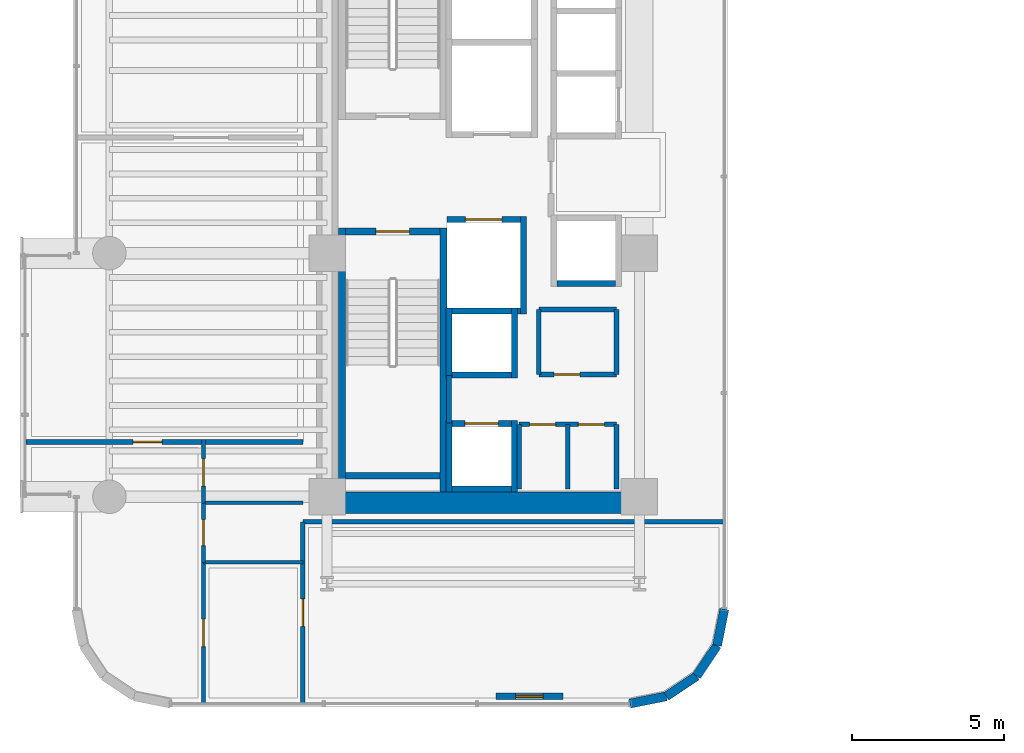
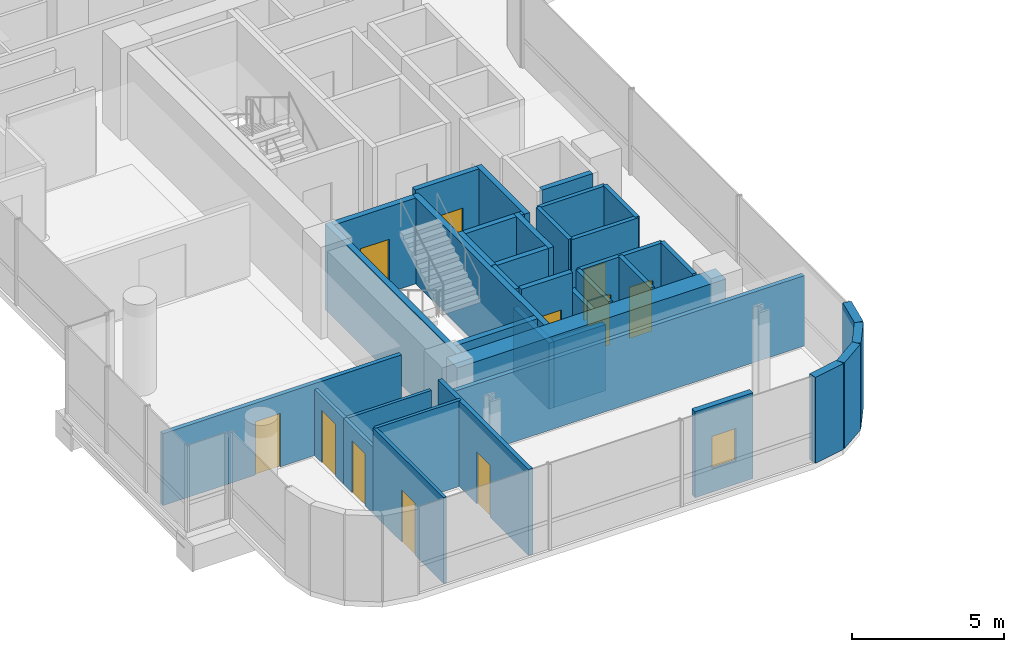
# One storey, part 28 of 38: 38 walls, 11 doors, 1 window, 12 openings.
"""IFC4 building model written with IfcOpenShell, lengths in metres."""

from ifc_helpers import new_model, si_unit, direction, frame, frame_2d, origin, place, context, subcontext, project, spatial, rectangle, extrude, material, layer, layer_set, type_object, element, fill, save


model = new_model("IFC4")

# Units and contexts
model_context = context("Model", 3, precision=1e-05, world=origin(), true_north=direction((0.0, 1.0)))
body_context = subcontext(model_context, "Body", "Model", "MODEL_VIEW")
ifc_project = project(units=[si_unit("LENGTHUNIT", "METRE"), si_unit("AREAUNIT", "SQUARE_METRE"), si_unit("VOLUMEUNIT", "CUBIC_METRE"), si_unit("PLANEANGLEUNIT", "RADIAN"), si_unit("MASSUNIT", "GRAM", prefix="KILO")], contexts=[model_context])

# Site, building, storey
site_placement = place(None, origin())
site = spatial("IfcSite", under=ifc_project, at=site_placement, CompositionType="ELEMENT")
building_placement = place(site_placement, origin())
building = spatial("IfcBuilding", under=site, at=building_placement, Name="Valdorenza Pilgrim Sanctuary Tower", CompositionType="ELEMENT")
storey_placement = place(building_placement, frame((0.0, 0.0, 131.60009765625)))
storey = spatial("IfcBuildingStorey", under=building, at=storey_placement, Name="L33", CompositionType="ELEMENT", Elevation=131.60009765625)

# Wall
ifc_material_1 = material(Name="Acoustic twin-stud gypsum partition", Category="gypsum")
ifc_layer_1 = layer(ifc_material_1, 0.159912109375, Name="Acoustic twin-stud gypsum partition")
ifc_layer_set_1 = layer_set([ifc_layer_1], Name="Acoustic twin-stud gypsum partition")
wall_type_1 = type_object("IfcWallType", Name="WAL-COR-160", PredefinedType="PARTITIONING", material=ifc_layer_set_1)
wall_1_placement = place(storey_placement, frame((-18.64990234375, -8.179931640625, 0.0), z_axis=(0.0, 0.0, 1.0), x_axis=(0.0, 1.0, 0.0)))
element("IfcWall", 1, at=wall_1_placement, inside=storey, type_object=wall_type_1, Name="L33 Core A South Lift Hall West Wall", PredefinedType="PARTITIONING", context=body_context, shape_type="SweptSolid", body=[
    extrude(rectangle(XDim=1.559814453125, YDim=0.159912109375, at=frame_2d((0.77978515625, 0.0))), origin(), (0.0, 0.0, 1.0), 3.4599609375),
])

# Wall, openings, doors
wall_2_placement = place(storey_placement, frame((-16.35009765625, -8.219970703125, 0.0), z_axis=(0.0, 0.0, 1.0), x_axis=(1.0, 0.0, 0.0)))
wall_2 = element("IfcWall", 2, at=wall_2_placement, inside=storey, type_object=wall_type_1, Name="L33 Freed Shaft 1 North Wall", PredefinedType="PARTITIONING", context=body_context, shape_type="SweptSolid", body=[
    extrude(rectangle(XDim=3.2001953125, YDim=0.159912109375, at=frame_2d((1.60009765625, 0.0))), origin(), (0.0, 0.0, 1.0), 3.4599609375),
])
opening_1_placement = place(wall_2_placement, frame((0.35009765625, 0.0, 0.0)))
opening_1 = element("IfcOpeningElement", 3, at=opening_1_placement, cuts=wall_2, Name="Opening DR-RS1", PredefinedType="OPENING", context=body_context, shape_type="SweptSolid", body=[
    extrude(rectangle(XDim=0.85009765625, YDim=2.050048828125, at=frame_2d((0.425048828125, 1.02490234375))), frame((0.0, 0.0947265625, 0.0), z_axis=(0.0, -1.0, 0.0), x_axis=(1.0, 0.0, 0.0)), (0.0, 0.0, 1.0), 0.189697265625),
])
opening_2_placement = place(wall_2_placement, frame((1.949951171875, 0.0, 0.0)))
opening_2 = element("IfcOpeningElement", 4, at=opening_2_placement, cuts=wall_2, Name="Opening DR-RS1", PredefinedType="OPENING", context=body_context, shape_type="SweptSolid", body=[
    extrude(rectangle(XDim=0.85009765625, YDim=2.050048828125, at=frame_2d((0.425048828125, 1.02490234375))), frame((0.0, 0.0947265625, 0.0), z_axis=(0.0, -1.0, 0.0), x_axis=(1.0, 0.0, 0.0)), (0.0, 0.0, 1.0), 0.189697265625),
])
ifc_material_2 = material(Name="Painted galvanized steel", Category="steel")
door_type_1 = type_object("IfcDoorType", Name="DR-RSR-850", OperationType="NOTDEFINED", PredefinedType="DOOR", material=ifc_material_2)
door_1_placement = place(opening_1_placement, origin())
door_1 = element("IfcDoor", 5, at=door_1_placement, inside=storey, type_object=door_type_1, Name="L33 Linen Store Door", OperationType="SINGLE_SWING_RIGHT", OverallHeight=2.050048828125, OverallWidth=0.85009765625, PredefinedType="DOOR", context=body_context, shape_type="SweptSolid", body=[
    extrude(rectangle(XDim=0.85009765625, YDim=2.050048828125, at=frame_2d((0.425048828125, 1.02490234375))), frame((0.0, 0.02490234375, 0.0), z_axis=(0.0, -1.0, 0.0), x_axis=(1.0, 0.0, 0.0)), (0.0, 0.0, 1.0), 0.050048828125),
])
fill(opening_1, door_1)
door_2_placement = place(opening_2_placement, origin())
door_2 = element("IfcDoor", 6, at=door_2_placement, inside=storey, type_object=door_type_1, Name="L33 Cot Store Door", OperationType="SINGLE_SWING_LEFT", OverallHeight=2.050048828125, OverallWidth=0.85009765625, PredefinedType="DOOR", context=body_context, shape_type="SweptSolid", body=[
    extrude(rectangle(XDim=0.85009765625, YDim=2.050048828125, at=frame_2d((0.425048828125, 1.02490234375))), frame((0.0, 0.02490234375, 0.0), z_axis=(0.0, -1.0, 0.0), x_axis=(1.0, 0.0, 0.0)), (0.0, 0.0, 1.0), 0.050048828125),
])
fill(opening_2, door_2)

# Walls
for number, where, z_axis, x_axis, name in (
    (7, (-13.14990234375, -10.35009765625, 0.0), (0.0, 0.0, 1.0), (0.0, 1.0, 0.0), "L33 Freed Shaft 1 East Wall"),
    (8, (-14.75, -10.35009765625, 0.0), (0.0, 0.0, 1.0), (0.0, 1.0, 0.0), "L33 Freed Shaft 1 Split Wall"),
):
    element("IfcWall", number, at=place(storey_placement, frame(where, z_axis=z_axis, x_axis=x_axis)), inside=storey, type_object=wall_type_1, Name=name, PredefinedType="PARTITIONING", context=body_context, shape_type="SweptSolid", body=[
        extrude(rectangle(XDim=2.130126953125, YDim=0.159912109375, at=frame_2d((1.06494140625, 0.0))), origin(), (0.0, 0.0, 1.0), 3.4599609375),
    ])

# Wall, opening, door
wall_3_placement = place(storey_placement, frame((-15.699951171875, -6.580078125, 0.0), z_axis=(0.0, 0.0, 1.0), x_axis=(1.0, 0.0, 0.0)))
wall_3 = element("IfcWall", 9, at=wall_3_placement, inside=storey, type_object=wall_type_1, Name="L33 Freed Shaft 2 South Wall", PredefinedType="PARTITIONING", context=body_context, shape_type="SweptSolid", body=[
    extrude(rectangle(XDim=2.550048828125, YDim=0.159912109375, at=frame_2d((1.27490234375, 0.0))), origin(), (0.0, 0.0, 1.0), 3.4599609375),
])
opening_3_placement = place(wall_3_placement, frame((0.5, 0.0, 0.0)))
opening_3 = element("IfcOpeningElement", 10, at=opening_3_placement, cuts=wall_3, Name="Opening DR-RS1", PredefinedType="OPENING", context=body_context, shape_type="SweptSolid", body=[
    extrude(rectangle(XDim=0.85009765625, YDim=2.050048828125, at=frame_2d((0.425048828125, 1.02490234375))), frame((0.0, 0.0947265625, 0.0), z_axis=(0.0, -1.0, 0.0), x_axis=(1.0, 0.0, 0.0)), (0.0, 0.0, 1.0), 0.189697265625),
])
door_3_placement = place(opening_3_placement, origin())
door_3 = element("IfcDoor", 11, at=door_3_placement, inside=storey, type_object=door_type_1, Name="L33 Guest Tea Pantry Door", OperationType="SINGLE_SWING_RIGHT", OverallHeight=2.050048828125, OverallWidth=0.85009765625, PredefinedType="DOOR", context=body_context, shape_type="SweptSolid", body=[
    extrude(rectangle(XDim=0.85009765625, YDim=2.050048828125, at=frame_2d((0.425048828125, 1.02490234375))), frame((0.0, 0.02490234375, 0.0), z_axis=(0.0, -1.0, 0.0), x_axis=(1.0, 0.0, 0.0)), (0.0, 0.0, 1.0), 0.050048828125),
])
fill(opening_3, door_3)

# Walls
wall_4_placement = place(storey_placement, frame((-13.14990234375, -6.580078125, 0.0), z_axis=(0.0, 0.0, 1.0), x_axis=(0.0, 1.0, 0.0)))
element("IfcWall", 12, at=wall_4_placement, inside=storey, type_object=wall_type_1, Name="L33 Freed Shaft 2 East Wall", PredefinedType="PARTITIONING", context=body_context, shape_type="SweptSolid", body=[
    extrude(rectangle(XDim=2.130126953125, YDim=0.159912109375, at=frame_2d((1.06494140625, 0.0))), origin(), (0.0, 0.0, 1.0), 3.4599609375),
])
wall_5_placement = place(storey_placement, frame((-23.449951171875, -11.419921875, 0.0), z_axis=(0.0, 0.0, 1.0), x_axis=(1.0, 0.0, 0.0)))
element("IfcWall", 13, at=wall_5_placement, inside=storey, type_object=wall_type_1, Name="L33 South-East Pocket North Wall", PredefinedType="PARTITIONING", context=body_context, shape_type="SweptSolid", body=[
    extrude(rectangle(XDim=13.83984375, YDim=0.159912109375, at=frame_2d((6.919921875, 0.0))), origin(), (0.0, 0.0, 1.0), 2.833984375),
])

# Wall, opening, door
wall_6_placement = place(storey_placement, frame((-23.449951171875, -17.389892578125, 0.0), z_axis=(0.0, 0.0, 1.0), x_axis=(0.0, 1.0, 0.0)))
wall_6 = element("IfcWall", 14, at=wall_6_placement, inside=storey, type_object=wall_type_1, Name="L33 South-East Pocket West Wall", PredefinedType="PARTITIONING", context=body_context, shape_type="SweptSolid", body=[
    extrude(rectangle(XDim=5.969970703125, YDim=0.159912109375, at=frame_2d((2.98486328125, 0.0))), origin(), (0.0, 0.0, 1.0), 3.4599609375),
])
opening_4_placement = place(wall_6_placement, frame((2.534912109375, 0.0, 0.0)))
opening_4 = element("IfcOpeningElement", 15, at=opening_4_placement, cuts=wall_6, Name="Opening DR-RM1", PredefinedType="OPENING", context=body_context, shape_type="SweptSolid", body=[
    extrude(rectangle(XDim=0.89990234375, YDim=2.10009765625, at=frame_2d((0.449951171875, 1.050048828125))), frame((0.0, 0.0947265625, 0.0), z_axis=(0.0, -1.0, 0.0), x_axis=(1.0, 0.0, 0.0)), (0.0, 0.0, 1.0), 0.189697265625),
])
ifc_material_3 = material(Name="Solid-core European oak timber", Category="wood")
door_type_2 = type_object("IfcDoorType", Name="DR-ROOM-900", OperationType="NOTDEFINED", PredefinedType="DOOR", material=ifc_material_3)
door_4_placement = place(opening_4_placement, frame((0.89990234375, 0.0, 0.0), z_axis=(0.0, 0.0, 1.0), x_axis=(-1.0, 0.0, 0.0)))
door_4 = element("IfcDoor", 16, at=door_4_placement, inside=storey, type_object=door_type_2, Name="L33 South Panoramic Viewing Salon L33 Door", OperationType="SINGLE_SWING_LEFT", OverallHeight=2.10009765625, OverallWidth=0.89990234375, PredefinedType="DOOR", context=body_context, shape_type="SweptSolid", body=[
    extrude(rectangle(XDim=0.89990234375, YDim=2.10009765625, at=frame_2d((0.449951171875, 1.050048828125))), frame((0.0, 0.02490234375, 0.0), z_axis=(0.0, -1.0, 0.0), x_axis=(1.0, 0.0, 0.0)), (0.0, 0.0, 1.0), 0.050048828125),
])
fill(opening_4, door_4)

wall_7_placement = place(storey_placement, frame((-32.5400390625, -8.800048828125, 0.0), z_axis=(0.0, 0.0, 1.0), x_axis=(1.0, 0.0, 0.0)))
wall_7 = element("IfcWall", 17, at=wall_7_placement, inside=storey, type_object=wall_type_1, Name="L33 Cloister South Room Wall", PredefinedType="PARTITIONING", context=body_context, shape_type="SweptSolid", body=[
    extrude(rectangle(XDim=9.090087890625, YDim=0.159912109375, at=frame_2d((4.544921875, 0.0))), origin(), (0.0, 0.0, 1.0), 2.89599609375),
])
opening_5_placement = place(wall_7_placement, frame((3.52001953125, 0.0, 0.0)))
opening_5 = element("IfcOpeningElement", 18, at=opening_5_placement, cuts=wall_7, Name="Opening DR-UN1", PredefinedType="OPENING", context=body_context, shape_type="SweptSolid", body=[
    extrude(rectangle(XDim=0.949951171875, YDim=2.14990234375, at=frame_2d((0.47509765625, 1.074951171875))), frame((0.0, 0.0947265625, 0.0), z_axis=(0.0, -1.0, 0.0), x_axis=(1.0, 0.0, 0.0)), (0.0, 0.0, 1.0), 0.189697265625),
])
door_type_3 = type_object("IfcDoorType", Name="DR-UNIT-950", OperationType="NOTDEFINED", PredefinedType="DOOR", material=ifc_material_3)
door_5_placement = place(opening_5_placement, frame((0.949951171875, 0.0, 0.0), z_axis=(0.0, 0.0, 1.0), x_axis=(-1.0, 0.0, 0.0)))
door_5 = element("IfcDoor", 19, at=door_5_placement, inside=storey, type_object=door_type_3, Name="L33 Sanctuary Apartment L33-CS1 Entrance Door", OperationType="SINGLE_SWING_LEFT", OverallHeight=2.14990234375, OverallWidth=0.949951171875, PredefinedType="DOOR", context=body_context, shape_type="SweptSolid", body=[
    extrude(rectangle(XDim=0.949951171875, YDim=2.14990234375, at=frame_2d((0.47509765625, 1.074951171875))), frame((0.0, 0.02490234375, 0.0), z_axis=(0.0, -1.0, 0.0), x_axis=(1.0, 0.0, 0.0)), (0.0, 0.0, 1.0), 0.050048828125),
])
fill(opening_5, door_5)

# Walls
ifc_material_4 = material(Name="Concrete C60/75", Category="concrete")
ifc_layer_2 = layer(ifc_material_4, 0.699951171875, Name="Concrete C60/75")
ifc_layer_set_2 = layer_set([ifc_layer_2], Name="Concrete C60/75")
wall_type_2 = type_object("IfcWallType", Name="WAL-COR-700", PredefinedType="SHEAR", material=ifc_layer_set_2)
wall_8_placement = place(storey_placement, frame((-22.64990234375, -10.800048828125, 0.0), z_axis=(0.0, 0.0, 1.0), x_axis=(1.0, 0.0, 0.0)))
element("IfcWall", 20, at=wall_8_placement, inside=storey, type_object=wall_type_2, Name="L33 Split Core A Shear Wall S", PredefinedType="SHEAR", context=body_context, shape_type="SweptSolid", body=[
    extrude(rectangle(XDim=10.25, YDim=0.699951171875, at=frame_2d((5.125, 0.0))), origin(), (0.0, 0.0, 1.0), 3.4599609375),
])
ifc_material_5 = material(Name="Honed travertine limestone", Category="masonry")
ifc_layer_3 = layer(ifc_material_5, 0.300048828125, Name="Honed travertine limestone")
ifc_layer_set_3 = layer_set([ifc_layer_3], Name="Honed travertine limestone")
wall_type_3 = type_object("IfcWallType", Name="WAL-EXT-300", PredefinedType="SOLIDWALL", material=ifc_layer_set_3)
wall_9_placement = place(storey_placement, frame((-9.610107421875, -14.289306640625, 0.0), z_axis=(0.0, 0.0, 1.0), x_axis=(-0.194996050505, -0.980804027463, 0.0)))
element("IfcWall", 21, at=wall_9_placement, inside=storey, type_object=wall_type_3, Name="L33 Rounded Wind-Corner Stone Pier 42", PredefinedType="SOLIDWALL", context=body_context, shape_type="SweptSolid", body=[
    extrude(rectangle(XDim=1.2158203125, YDim=0.300048828125, at=frame_2d((0.60791015625, 0.0))), origin(), (0.0, 0.0, 1.0), 3.4599609375),
])
for number, where, z_axis, x_axis, name in (
    (22, (-9.84716796875, -15.481689453125, 0.0), (0.0, 0.0, 1.0), (-0.555635100982, -0.831426265255, 0.0), "L33 Rounded Wind-Corner Stone Pier 43"),
    (23, (-10.5166015625, -16.4833984375, 0.0), (0.0, 0.0, 1.0), (-0.831426265255, -0.555635100982, 0.0), "L33 Rounded Wind-Corner Stone Pier 44"),
):
    element("IfcWall", number, at=place(storey_placement, frame(where, z_axis=z_axis, x_axis=x_axis)), inside=storey, type_object=wall_type_3, Name=name, PredefinedType="SOLIDWALL", context=body_context, shape_type="SweptSolid", body=[
        extrude(rectangle(XDim=1.204833984375, YDim=0.300048828125, at=frame_2d((0.6025390625, 0.0))), origin(), (0.0, 0.0, 1.0), 3.4599609375),
    ])
wall_10_placement = place(storey_placement, frame((-11.518310546875, -17.15283203125, 0.0), z_axis=(0.0, 0.0, 1.0), x_axis=(-0.980804027463, -0.194996050505, 0.0)))
element("IfcWall", 24, at=wall_10_placement, inside=storey, type_object=wall_type_3, Name="L33 Rounded Wind-Corner Stone Pier 45", PredefinedType="SOLIDWALL", context=body_context, shape_type="SweptSolid", body=[
    extrude(rectangle(XDim=1.2158203125, YDim=0.300048828125, at=frame_2d((0.60791015625, 0.0))), origin(), (0.0, 0.0, 1.0), 3.4599609375),
])

# Wall, opening, window
wall_11_placement = place(storey_placement, frame((-14.910888671875, -17.14990234375, 0.0), z_axis=(0.0, 0.0, 1.0), x_axis=(-1.0, 0.0, 0.0)))
wall_11 = element("IfcWall", 25, at=wall_11_placement, inside=storey, type_object=wall_type_3, Name="L33 Operable Ventilation Sash Jamb Pier", PredefinedType="SOLIDWALL", context=body_context, shape_type="SweptSolid", body=[
    extrude(rectangle(XDim=2.199951171875, YDim=0.219970703125, at=frame_2d((1.10009765625, 0.0))), origin(), (0.0, 0.0, 1.0), 3.4599609375),
])
opening_6_placement = place(wall_11_placement, frame((0.64990234375, 0.0, 0.949951171875)))
opening_6 = element("IfcOpeningElement", 26, at=opening_6_placement, cuts=wall_11, Name="Opening WN-OP1", PredefinedType="OPENING", context=body_context, shape_type="SweptSolid", body=[
    extrude(rectangle(XDim=0.89990234375, YDim=1.300048828125, at=frame_2d((0.449951171875, 0.64990234375))), frame((0.0, 0.125, 0.0), z_axis=(0.0, -1.0, 0.0), x_axis=(1.0, 0.0, 0.0)), (0.0, 0.0, 1.0), 0.249755859375),
])
ifc_material_6 = material(Name="Ceramic-fritted low-E IGU glazing", Category="glass")
window_type = type_object("IfcWindowType", Name="WIN-OPN-900", PartitioningType="SINGLE_PANEL", PredefinedType="WINDOW", material=ifc_material_6)
window_placement = place(opening_6_placement, origin())
window = element("IfcWindow", 27, at=window_placement, inside=storey, type_object=window_type, Name="L33 Parallel-Pop-Out Operable Facade Panel", OverallHeight=1.300048828125, OverallWidth=0.89990234375, PartitioningType="SINGLE_PANEL", PredefinedType="WINDOW", context=body_context, shape_type="SweptSolid", body=[
    extrude(rectangle(XDim=0.89990234375, YDim=1.300048828125, at=frame_2d((0.449951171875, 0.64990234375))), frame((0.0, 0.030029296875, 0.0), z_axis=(0.0, -1.0, 0.0), x_axis=(1.0, 0.0, 0.0)), (0.0, 0.0, 1.0), 0.06005859375),
])
fill(opening_6, window)

# Walls
ifc_material_7 = material(Name="Moisture-resistant gypsum partition", Category="gypsum")
ifc_layer_4 = layer(ifc_material_7, 0.1201171875, Name="Moisture-resistant gypsum partition")
ifc_layer_set_4 = layer_set([ifc_layer_4], Name="Moisture-resistant gypsum partition")
wall_type_4 = type_object("IfcWallType", Name="WAL-INT-120", PredefinedType="PARTITIONING", material=ifc_layer_set_4)
wall_12_placement = place(storey_placement, frame((-26.70849609375, -10.800048828125, 0.0), z_axis=(0.0, 0.0, 1.0), x_axis=(1.0, 0.0, 0.0)))
element("IfcWall", 28, at=wall_12_placement, inside=storey, type_object=wall_type_4, Name="L33 Sanctuary Apartment L33-CS1 Bath-Kitchen Wall", PredefinedType="PARTITIONING", context=body_context, shape_type="SweptSolid", body=[
    extrude(rectangle(XDim=3.258544921875, YDim=0.1201171875, at=frame_2d((1.62939453125, 0.0))), origin(), (0.0, 0.0, 1.0), 2.666015625),
])
wall_13_placement = place(storey_placement, frame((-26.70849609375, -12.75, 0.0), z_axis=(0.0, 0.0, 1.0), x_axis=(1.0, 0.0, 0.0)))
element("IfcWall", 29, at=wall_13_placement, inside=storey, type_object=wall_type_4, Name="L33 Sanctuary Apartment L33-CS1 Kitchen-Bedroom Wall", PredefinedType="PARTITIONING", context=body_context, shape_type="SweptSolid", body=[
    extrude(rectangle(XDim=3.258544921875, YDim=0.1201171875, at=frame_2d((1.62939453125, 0.0))), origin(), (0.0, 0.0, 1.0), 3.4599609375),
])

# Wall, opening, door
wall_14_placement = place(storey_placement, frame((-26.70849609375, -12.75, 0.0), z_axis=(0.0, 0.0, 1.0), x_axis=(0.0, 1.0, 0.0)))
wall_14 = element("IfcWall", 30, at=wall_14_placement, inside=storey, type_object=wall_type_4, Name="L33 Sanctuary Apartment L33-CS1 Bathroom Door Wall", PredefinedType="PARTITIONING", context=body_context, shape_type="SweptSolid", body=[
    extrude(rectangle(XDim=1.949951171875, YDim=0.1201171875, at=frame_2d((0.97509765625, 0.0))), origin(), (0.0, 0.0, 1.0), 2.666015625),
])
opening_7_placement = place(wall_14_placement, frame((0.550048828125, 0.0, 0.0)))
opening_7 = element("IfcOpeningElement", 31, at=opening_7_placement, cuts=wall_14, Name="Opening DR-WC1", PredefinedType="OPENING", context=body_context, shape_type="SweptSolid", body=[
    extrude(rectangle(XDim=0.85009765625, YDim=2.10009765625, at=frame_2d((0.425048828125, 1.050048828125))), frame((0.0, 0.074951171875, 0.0), z_axis=(0.0, -1.0, 0.0), x_axis=(1.0, 0.0, 0.0)), (0.0, 0.0, 1.0), 0.14990234375),
])
ifc_material_8 = material(Name="Moisture-resistant lacquered timber", Category="wood")
door_type_4 = type_object("IfcDoorType", Name="DR-BATH-850", OperationType="NOTDEFINED", PredefinedType="DOOR", material=ifc_material_8)
door_6_placement = place(opening_7_placement, origin())
door_6 = element("IfcDoor", 32, at=door_6_placement, inside=storey, type_object=door_type_4, Name="L33 Sanctuary Apartment L33-CS1 Bathroom Door", OperationType="SINGLE_SWING_RIGHT", OverallHeight=2.10009765625, OverallWidth=0.85009765625, PredefinedType="DOOR", context=body_context, shape_type="SweptSolid", body=[
    extrude(rectangle(XDim=0.85009765625, YDim=2.10009765625, at=frame_2d((0.425048828125, 1.050048828125))), frame((0.0, 0.02490234375, 0.0), z_axis=(0.0, -1.0, 0.0), x_axis=(1.0, 0.0, 0.0)), (0.0, 0.0, 1.0), 0.050048828125),
])
fill(opening_7, door_6)

wall_15_placement = place(storey_placement, frame((-26.70849609375, -10.800048828125, 0.0), z_axis=(0.0, 0.0, 1.0), x_axis=(0.0, 1.0, 0.0)))
wall_15 = element("IfcWall", 33, at=wall_15_placement, inside=storey, type_object=wall_type_4, Name="L33 Sanctuary Apartment L33-CS1 Kitchen Door Wall", PredefinedType="PARTITIONING", context=body_context, shape_type="SweptSolid", body=[
    extrude(rectangle(XDim=2.080078125, YDim=0.1201171875, at=frame_2d((1.0400390625, 0.0))), origin(), (0.0, 0.0, 1.0), 2.666015625),
])
opening_8_placement = place(wall_15_placement, frame((0.550048828125, 0.0, 0.0)))
opening_8 = element("IfcOpeningElement", 34, at=opening_8_placement, cuts=wall_15, Name="Opening DR-RM1", PredefinedType="OPENING", context=body_context, shape_type="SweptSolid", body=[
    extrude(rectangle(XDim=0.89990234375, YDim=2.10009765625, at=frame_2d((0.449951171875, 1.050048828125))), frame((0.0, 0.074951171875, 0.0), z_axis=(0.0, -1.0, 0.0), x_axis=(1.0, 0.0, 0.0)), (0.0, 0.0, 1.0), 0.14990234375),
])
door_7_placement = place(opening_8_placement, origin())
door_7 = element("IfcDoor", 35, at=door_7_placement, inside=storey, type_object=door_type_2, Name="L33 Sanctuary Apartment L33-CS1 Kitchen Door", OperationType="SINGLE_SWING_LEFT", OverallHeight=2.10009765625, OverallWidth=0.89990234375, PredefinedType="DOOR", context=body_context, shape_type="SweptSolid", body=[
    extrude(rectangle(XDim=0.89990234375, YDim=2.10009765625, at=frame_2d((0.449951171875, 1.050048828125))), frame((0.0, 0.02490234375, 0.0), z_axis=(0.0, -1.0, 0.0), x_axis=(1.0, 0.0, 0.0)), (0.0, 0.0, 1.0), 0.050048828125),
])
fill(opening_8, door_7)

wall_16_placement = place(storey_placement, frame((-26.70849609375, -17.389892578125, 0.0), z_axis=(0.0, 0.0, 1.0), x_axis=(0.0, 1.0, 0.0)))
wall_16 = element("IfcWall", 36, at=wall_16_placement, inside=storey, type_object=wall_type_4, Name="L33 Sanctuary Apartment L33-CS1 Bedroom Door Wall", PredefinedType="PARTITIONING", context=body_context, shape_type="SweptSolid", body=[
    extrude(rectangle(XDim=4.639892578125, YDim=0.1201171875, at=frame_2d((2.31982421875, 0.0))), origin(), (0.0, 0.0, 1.0), 3.4599609375),
])
opening_9_placement = place(wall_16_placement, frame((1.8701171875, 0.0, 0.0)))
opening_9 = element("IfcOpeningElement", 37, at=opening_9_placement, cuts=wall_16, Name="Opening DR-RM1", PredefinedType="OPENING", context=body_context, shape_type="SweptSolid", body=[
    extrude(rectangle(XDim=0.89990234375, YDim=2.10009765625, at=frame_2d((0.449951171875, 1.050048828125))), frame((0.0, 0.074951171875, 0.0), z_axis=(0.0, -1.0, 0.0), x_axis=(1.0, 0.0, 0.0)), (0.0, 0.0, 1.0), 0.14990234375),
])
door_8_placement = place(opening_9_placement, origin())
door_8 = element("IfcDoor", 38, at=door_8_placement, inside=storey, type_object=door_type_2, Name="L33 Sanctuary Apartment L33-CS1 Bedroom Door", OperationType="SINGLE_SWING_RIGHT", OverallHeight=2.10009765625, OverallWidth=0.89990234375, PredefinedType="DOOR", context=body_context, shape_type="SweptSolid", body=[
    extrude(rectangle(XDim=0.89990234375, YDim=2.10009765625, at=frame_2d((0.449951171875, 1.050048828125))), frame((0.0, 0.02490234375, 0.0), z_axis=(0.0, -1.0, 0.0), x_axis=(1.0, 0.0, 0.0)), (0.0, 0.0, 1.0), 0.050048828125),
])
fill(opening_9, door_8)

# Walls
ifc_material_9 = material(Name="Autoclaved aerated concrete blockwork", Category="masonry")
ifc_layer_5 = layer(ifc_material_9, 0.199951171875, Name="Autoclaved aerated concrete blockwork")
ifc_layer_set_5 = layer_set([ifc_layer_5], Name="Autoclaved aerated concrete blockwork")
wall_type_5 = type_object("IfcWallType", Name="WAL-SHF-200", PredefinedType="MOVABLE", material=ifc_layer_set_5)
wall_17_placement = place(storey_placement, frame((-16.199951171875, -4.60009765625, 0.0), z_axis=(0.0, 0.0, 1.0), x_axis=(0.0, 1.0, 0.0)))
element("IfcWall", 39, at=wall_17_placement, inside=storey, type_object=wall_type_5, Name="L33 Lift FFL-02 Hoistway Wall East", PredefinedType="MOVABLE", context=body_context, shape_type="SweptSolid", body=[
    extrude(rectangle(XDim=3.2001953125, YDim=0.199951171875, at=frame_2d((1.60009765625, 0.0))), origin(), (0.0, 0.0, 1.0), 3.4599609375),
])
wall_18_placement = place(storey_placement, frame((-18.719970703125, -4.5, 0.0), z_axis=(0.0, 0.0, 1.0), x_axis=(1.0, 0.0, 0.0)))
element("IfcWall", 40, at=wall_18_placement, inside=storey, type_object=wall_type_5, Name="L33 Lift FFL-02 Hoistway Wall South", PredefinedType="MOVABLE", context=body_context, shape_type="SweptSolid", body=[
    extrude(rectangle(XDim=2.419921875, YDim=0.199951171875, at=frame_2d((1.2099609375, 0.0))), origin(), (0.0, 0.0, 1.0), 3.4599609375),
])

# Wall, opening, door
wall_19_placement = place(storey_placement, frame((-18.719970703125, -1.5, 0.0), z_axis=(0.0, 0.0, 1.0), x_axis=(1.0, 0.0, 0.0)))
wall_19 = element("IfcWall", 41, at=wall_19_placement, inside=storey, type_object=wall_type_5, Name="L33 Lift FFL-02 Hoistway Wall North", PredefinedType="MOVABLE", context=body_context, shape_type="SweptSolid", body=[
    extrude(rectangle(XDim=2.419921875, YDim=0.199951171875, at=frame_2d((1.2099609375, 0.0))), origin(), (0.0, 0.0, 1.0), 3.4599609375),
])
opening_10_placement = place(wall_19_placement, frame((0.610107421875, 0.0, 0.0)))
opening_10 = element("IfcOpeningElement", 42, at=opening_10_placement, cuts=wall_19, Name="Opening LD-02", PredefinedType="OPENING", context=body_context, shape_type="SweptSolid", body=[
    extrude(rectangle(XDim=1.199951171875, YDim=2.10009765625, at=frame_2d((0.60009765625, 1.050048828125))), frame((0.0, 0.11474609375, 0.0), z_axis=(0.0, -1.0, 0.0), x_axis=(1.0, 0.0, 0.0)), (0.0, 0.0, 1.0), 0.229736328125),
])
ifc_material_10 = material(Name="Brushed stainless steel Grade 316", Category="steel")
door_type_5 = type_object("IfcDoorType", Name="DR-LFT-1200", OperationType="DOUBLE_DOOR_SLIDING", PredefinedType="DOOR", material=ifc_material_10)
door_9_placement = place(opening_10_placement, origin())
door_9 = element("IfcDoor", 43, at=door_9_placement, inside=storey, type_object=door_type_5, Name="L33 Lift FFL-02 Sliding Landing Door", OperationType="DOUBLE_DOOR_SLIDING", OverallHeight=2.10009765625, OverallWidth=1.199951171875, PredefinedType="DOOR", context=body_context, shape_type="SweptSolid", body=[
    extrude(rectangle(XDim=1.199951171875, YDim=2.10009765625, at=frame_2d((0.60009765625, 1.050048828125))), frame((0.0, 0.02490234375, 0.0), z_axis=(0.0, -1.0, 0.0), x_axis=(1.0, 0.0, 0.0)), (0.0, 0.0, 1.0), 0.050048828125),
])
fill(opening_10, door_9)

# Walls
for number, where, z_axis, x_axis, name in (
    (44, (-18.64990234375, -10.449951171875, 0.0), (0.0, 0.0, 1.0), (0.0, 1.0, 0.0), "L33 Lift PL-05 Hoistway Wall West"),
    (45, (-16.5, -10.449951171875, 0.0), (0.0, 0.0, 1.0), (0.0, 1.0, 0.0), "L33 Lift PL-05 Hoistway Wall East"),
):
    element("IfcWall", number, at=place(storey_placement, frame(where, z_axis=z_axis, x_axis=x_axis)), inside=storey, type_object=wall_type_5, Name=name, PredefinedType="MOVABLE", context=body_context, shape_type="SweptSolid", body=[
        extrude(rectangle(XDim=2.349853515625, YDim=0.199951171875, at=frame_2d((1.1748046875, 0.0))), origin(), (0.0, 0.0, 1.0), 2.666015625),
    ])
wall_20_placement = place(storey_placement, frame((-18.550048828125, -10.35009765625, 0.0), z_axis=(0.0, 0.0, 1.0), x_axis=(1.0, 0.0, 0.0)))
element("IfcWall", 46, at=wall_20_placement, inside=storey, type_object=wall_type_5, Name="L33 Lift PL-05 Hoistway Wall South", PredefinedType="MOVABLE", context=body_context, shape_type="SweptSolid", body=[
    extrude(rectangle(XDim=1.949951171875, YDim=0.199951171875, at=frame_2d((0.97509765625, 0.0))), origin(), (0.0, 0.0, 1.0), 2.666015625),
])

# Wall, opening, door
wall_21_placement = place(storey_placement, frame((-18.550048828125, -8.199951171875, 0.0), z_axis=(0.0, 0.0, 1.0), x_axis=(1.0, 0.0, 0.0)))
wall_21 = element("IfcWall", 47, at=wall_21_placement, inside=storey, type_object=wall_type_5, Name="L33 Lift PL-05 Hoistway Wall North", PredefinedType="MOVABLE", context=body_context, shape_type="SweptSolid", body=[
    extrude(rectangle(XDim=1.949951171875, YDim=0.199951171875, at=frame_2d((0.97509765625, 0.0))), origin(), (0.0, 0.0, 1.0), 3.4599609375),
])
opening_11_placement = place(wall_21_placement, frame((0.425048828125, 0.0, 0.0)))
opening_11 = element("IfcOpeningElement", 48, at=opening_11_placement, cuts=wall_21, Name="Opening LD-01", PredefinedType="OPENING", context=body_context, shape_type="SweptSolid", body=[
    extrude(rectangle(XDim=1.10009765625, YDim=2.10009765625, at=frame_2d((0.550048828125, 1.050048828125))), frame((0.0, 0.11474609375, 0.0), z_axis=(0.0, -1.0, 0.0), x_axis=(1.0, 0.0, 0.0)), (0.0, 0.0, 1.0), 0.229736328125),
])
door_type_6 = type_object("IfcDoorType", Name="DR-LFT-1100", OperationType="DOUBLE_DOOR_SLIDING", PredefinedType="DOOR", material=ifc_material_10)
door_10_placement = place(opening_11_placement, origin())
door_10 = element("IfcDoor", 49, at=door_10_placement, inside=storey, type_object=door_type_6, Name="L33 Lift PL-05 Sliding Landing Door", OperationType="DOUBLE_DOOR_SLIDING", OverallHeight=2.10009765625, OverallWidth=1.10009765625, PredefinedType="DOOR", context=body_context, shape_type="SweptSolid", body=[
    extrude(rectangle(XDim=1.10009765625, YDim=2.10009765625, at=frame_2d((0.550048828125, 1.050048828125))), frame((0.0, 0.02490234375, 0.0), z_axis=(0.0, -1.0, 0.0), x_axis=(1.0, 0.0, 0.0)), (0.0, 0.0, 1.0), 0.050048828125),
])
fill(opening_11, door_10)

# Walls
for number, where, z_axis, x_axis, name in (
    (50, (-18.64990234375, -6.699951171875, 0.0), (0.0, 0.0, 1.0), (0.0, 1.0, 0.0), "L33 Lift PL-11 Hoistway Wall West"),
    (51, (-16.5, -6.699951171875, 0.0), (0.0, 0.0, 1.0), (0.0, 1.0, 0.0), "L33 Lift PL-11 Hoistway Wall East"),
):
    element("IfcWall", number, at=place(storey_placement, frame(where, z_axis=z_axis, x_axis=x_axis)), inside=storey, type_object=wall_type_5, Name=name, PredefinedType="MOVABLE", context=body_context, shape_type="SweptSolid", body=[
        extrude(rectangle(XDim=2.300048828125, YDim=0.199951171875, at=frame_2d((1.14990234375, 0.0))), origin(), (0.0, 0.0, 1.0), 3.4599609375),
    ])
wall_22_placement = place(storey_placement, frame((-18.550048828125, -6.60009765625, 0.0), z_axis=(0.0, 0.0, 1.0), x_axis=(1.0, 0.0, 0.0)))
element("IfcWall", 52, at=wall_22_placement, inside=storey, type_object=wall_type_5, Name="L33 Lift PL-11 Hoistway Wall South", PredefinedType="MOVABLE", context=body_context, shape_type="SweptSolid", body=[
    extrude(rectangle(XDim=1.949951171875, YDim=0.199951171875, at=frame_2d((0.97509765625, 0.0))), origin(), (0.0, 0.0, 1.0), 3.4599609375),
])
wall_23_placement = place(storey_placement, frame((-15.10009765625, -3.60009765625, 0.0), z_axis=(0.0, 0.0, 1.0), x_axis=(1.0, 0.0, 0.0)))
element("IfcWall", 53, at=wall_23_placement, inside=storey, type_object=wall_type_5, Name="L33 Lift PL-12 Hoistway Wall South", PredefinedType="MOVABLE", context=body_context, shape_type="SweptSolid", body=[
    extrude(rectangle(XDim=1.920166015625, YDim=0.199951171875, at=frame_2d((0.9599609375, 0.0))), origin(), (0.0, 0.0, 1.0), 3.4599609375),
])
ifc_material_11 = material(Name="Concrete C40/50", Category="concrete")
ifc_layer_6 = layer(ifc_material_11, 0.219970703125, Name="Concrete C40/50")
ifc_layer_set_6 = layer_set([ifc_layer_6], Name="Concrete C40/50")
wall_type_6 = type_object("IfcWallType", Name="WAL-STR-SHF-220", PredefinedType="SHEAR", material=ifc_layer_set_6)
for number, where, z_axis, x_axis, name in (
    (54, (-22.159912109375, -10.449951171875, 0.0), (0.0, 0.0, 1.0), (0.0, 1.0, 0.0), "L33 ST-A2 Structural Stairwell Wall W"),
    (55, (-18.830078125, -10.449951171875, 0.0), (0.0, 0.0, 1.0), (0.0, 1.0, 0.0), "L33 ST-A2 Structural Stairwell Wall E"),
):
    element("IfcWall", number, at=place(storey_placement, frame(where, z_axis=z_axis, x_axis=x_axis)), inside=storey, type_object=wall_type_6, Name=name, PredefinedType="SHEAR", context=body_context, shape_type="SweptSolid", body=[
        extrude(rectangle(XDim=8.669921875, YDim=0.219970703125, at=frame_2d((4.3349609375, 0.0))), origin(), (0.0, 0.0, 1.0), 3.4599609375),
    ])
wall_24_placement = place(storey_placement, frame((-22.050048828125, -9.909912109375, 0.0), z_axis=(0.0, 0.0, 1.0), x_axis=(1.0, 0.0, 0.0)))
element("IfcWall", 56, at=wall_24_placement, inside=storey, type_object=wall_type_6, Name="L33 ST-A2 Structural Stairwell Wall S", PredefinedType="SHEAR", context=body_context, shape_type="SweptSolid", body=[
    extrude(rectangle(XDim=3.110107421875, YDim=0.219970703125, at=frame_2d((1.55517578125, 0.0))), origin(), (0.0, 0.0, 1.0), 3.4599609375),
])

# Wall, opening, door
wall_25_placement = place(storey_placement, frame((-22.050048828125, -1.889892578125, 0.0), z_axis=(0.0, 0.0, 1.0), x_axis=(1.0, 0.0, 0.0)))
wall_25 = element("IfcWall", 57, at=wall_25_placement, inside=storey, type_object=wall_type_6, Name="L33 ST-A2 Structural Stairwell Wall N", PredefinedType="SHEAR", context=body_context, shape_type="SweptSolid", body=[
    extrude(rectangle(XDim=3.110107421875, YDim=0.219970703125, at=frame_2d((1.55517578125, 0.0))), origin(), (0.0, 0.0, 1.0), 3.4599609375),
])
opening_12_placement = place(wall_25_placement, frame((1.0, 0.0, 0.0)))
opening_12 = element("IfcOpeningElement", 58, at=opening_12_placement, cuts=wall_25, Name="Opening DR-ST1", PredefinedType="OPENING", context=body_context, shape_type="SweptSolid", body=[
    extrude(rectangle(XDim=1.10009765625, YDim=2.14990234375, at=frame_2d((0.550048828125, 1.074951171875))), frame((0.0, 0.125, 0.0), z_axis=(0.0, -1.0, 0.0), x_axis=(1.0, 0.0, 0.0)), (0.0, 0.0, 1.0), 0.249755859375),
])
door_type_7 = type_object("IfcDoorType", Name="DR-STAIR-1100", OperationType="NOTDEFINED", PredefinedType="DOOR", material=ifc_material_2)
door_11_placement = place(opening_12_placement, origin())
door_11 = element("IfcDoor", 59, at=door_11_placement, inside=storey, type_object=door_type_7, Name="L33 Exit Stair ST-A2 Door", OperationType="SINGLE_SWING_RIGHT", OverallHeight=2.14990234375, OverallWidth=1.10009765625, PredefinedType="DOOR", context=body_context, shape_type="SweptSolid", body=[
    extrude(rectangle(XDim=1.10009765625, YDim=2.14990234375, at=frame_2d((0.550048828125, 1.074951171875))), frame((0.0, 0.02490234375, 0.0), z_axis=(0.0, -1.0, 0.0), x_axis=(1.0, 0.0, 0.0)), (0.0, 0.0, 1.0), 0.050048828125),
])
fill(opening_12, door_11)

# Walls
ifc_layer_7 = layer(ifc_material_1, 0.14990234375, Name="Acoustic twin-stud gypsum partition")
ifc_layer_set_7 = layer_set([ifc_layer_7], Name="Acoustic twin-stud gypsum partition")
wall_type_7 = type_object("IfcWallType", Name="WAL-UNT-150", PredefinedType="PARTITIONING", material=ifc_layer_set_7)
for number, where, z_axis, x_axis, name in (
    (60, (-16.35009765625, -10.35009765625, 0.0), (0.0, 0.0, 1.0), (0.0, 1.0, 0.0), "L33 Freed Shaft 1 West Wall"),
    (61, (-15.699951171875, -6.580078125, 0.0), (0.0, 0.0, 1.0), (0.0, 1.0, 0.0), "L33 Freed Shaft 2 West Wall"),
):
    element("IfcWall", number, at=place(storey_placement, frame(where, z_axis=z_axis, x_axis=x_axis)), inside=storey, type_object=wall_type_7, Name=name, PredefinedType="PARTITIONING", context=body_context, shape_type="SweptSolid", body=[
        extrude(rectangle(XDim=2.130126953125, YDim=0.14990234375, at=frame_2d((1.06494140625, 0.0))), origin(), (0.0, 0.0, 1.0), 3.4599609375),
    ])
wall_26_placement = place(storey_placement, frame((-15.699951171875, -4.449951171875, 0.0), z_axis=(0.0, 0.0, 1.0), x_axis=(1.0, 0.0, 0.0)))
element("IfcWall", 62, at=wall_26_placement, inside=storey, type_object=wall_type_7, Name="L33 Freed Shaft 2 North Wall", PredefinedType="PARTITIONING", context=body_context, shape_type="SweptSolid", body=[
    extrude(rectangle(XDim=2.550048828125, YDim=0.14990234375, at=frame_2d((1.27490234375, 0.0))), origin(), (0.0, 0.0, 1.0), 3.4599609375),
])

save(model, "model.ifc")
